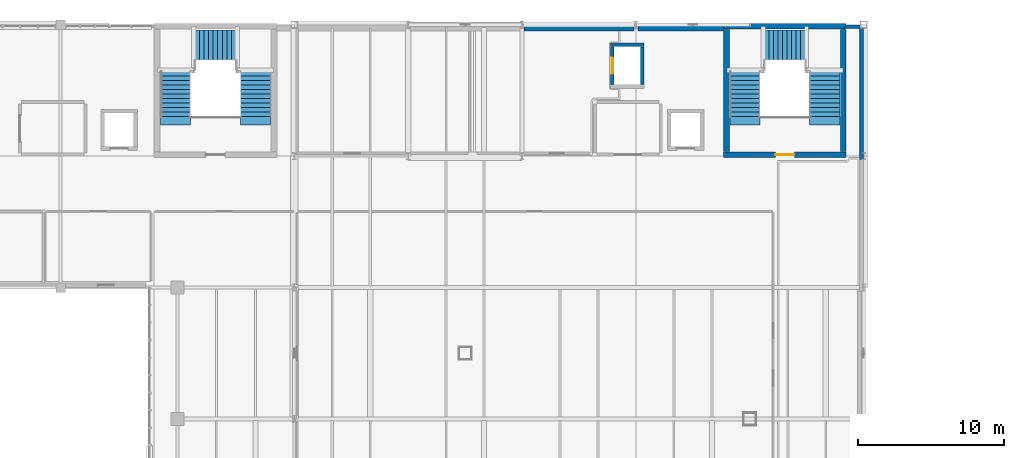
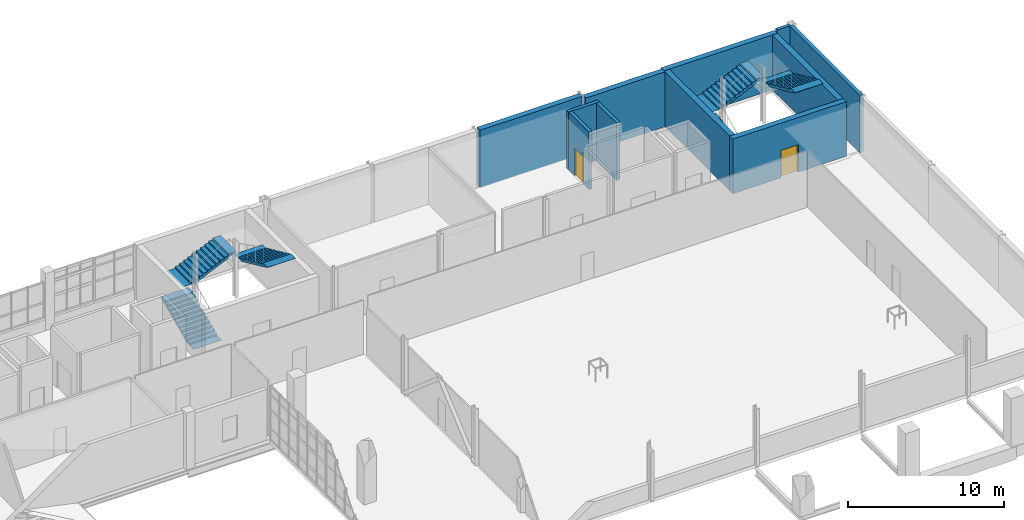
# One storey, part 35 of 38: 11 walls, 6 stair flights, 2 doors, 2 openings, 2 elements without a shape of their own.
"""IFC4 building model written with IfcOpenShell, lengths in metres."""

import ifcopenshell
import ifcopenshell.guid

model = None  # the IFC model being written
_history = None  # IfcOwnerHistory: only IFC2X3 demands one
_inside = {}  # id of a spatial element -> (the spatial element, [elements in it])
_under = {}  # id of a project, library or spatial element -> (it, [spatial elements below it])
_declared = {}  # id of a project -> (the project, [libraries it declares])
_typed = {}  # id of a type object -> (the type object, [elements of that type])
_made_of = {}  # id of a material, layer set ... -> (it, [elements and type objects made of it])


def new_model(schema):
    """Start an empty IFC model of exactly this schema.

    Asked for "IFC4X3", IfcOpenShell would pick the latest addendum, in which some entities
    have other attributes; the version numbers below select the first issue.
    IFC2X3 requires an IfcOwnerHistory on every rooted entity: one is made here for all.
    """
    global model, _history
    if schema == "IFC4X3":
        model = ifcopenshell.file(schema_version=(4, 3, 0, 0))
    else:
        model = ifcopenshell.file(schema=schema)
    _inside.clear()
    _under.clear()
    _declared.clear()
    _typed.clear()
    _made_of.clear()
    _history = None
    if model.schema == "IFC2X3":
        org = make("IfcOrganization", Name="unknown")
        user = make(
            "IfcPersonAndOrganization",
            ThePerson=make("IfcPerson", FamilyName="unknown"),
            TheOrganization=org,
        )
        app = make(
            "IfcApplication",
            ApplicationDeveloper=org,
            Version="unknown",
            ApplicationFullName="unknown",
            ApplicationIdentifier="unknown",
        )
        _history = make(
            "IfcOwnerHistory",
            OwningUser=user,
            OwningApplication=app,
            ChangeAction="ADDED",
            CreationDate=0,
        )
    return model


def make(cls, **values):
    """One entity of the class cls with the attributes given. An attribute that is None is left unset."""
    return model.create_entity(
        cls, **{name: value for name, value in values.items() if value is not None}
    )


def rooted(cls, **values):
    """An entity with a GlobalId (a new one), such as an element, a storey or a relation."""
    return make(cls, GlobalId=ifcopenshell.guid.new(), OwnerHistory=_history, **values)


def si_unit(unit_type, name, prefix=None):
    """IfcSIUnit, for example si_unit("LENGTHUNIT", "METRE", prefix="MILLI")."""
    return make("IfcSIUnit", UnitType=unit_type, Prefix=prefix, Name=name)


def derived_unit(unit_type, elements):
    """IfcDerivedUnit: a product of units, each with its exponent."""
    return make(
        "IfcDerivedUnit",
        Elements=[
            make("IfcDerivedUnitElement", Unit=unit, Exponent=power)
            for unit, power in elements
        ],
        UnitType=unit_type,
    )


def assignment(units):
    """IfcUnitAssignment: the units of a project."""
    return None if units is None else make("IfcUnitAssignment", Units=units)


def point(xyz):
    """IfcCartesianPoint."""
    return None if xyz is None else make("IfcCartesianPoint", Coordinates=xyz)


def direction(xyz):
    """IfcDirection."""
    return None if xyz is None else make("IfcDirection", DirectionRatios=xyz)


def frame(location, z_axis=None, x_axis=None):
    """IfcAxis2Placement3D, a coordinate frame: its origin and axes. An axis left out is left unset."""
    return make(
        "IfcAxis2Placement3D",
        Location=point(location),
        Axis=direction(z_axis),
        RefDirection=direction(x_axis),
    )


def frame_2d(location, x_axis=None):
    """IfcAxis2Placement2D, a coordinate frame in the plane: its origin and x axis."""
    return make(
        "IfcAxis2Placement2D", Location=point(location), RefDirection=direction(x_axis)
    )


def origin():
    """The frame at (0, 0, 0) with its axes left unset."""
    return frame((0.0, 0.0, 0.0))


def place(relative_to, where):
    """IfcLocalPlacement: puts the frame where relative to a parent placement (None: the world)."""
    return make(
        "IfcLocalPlacement", PlacementRelTo=relative_to, RelativePlacement=where
    )


def context(
    kind, dimensions, precision=None, world=None, true_north=None, identifier=None
):
    """IfcGeometricRepresentationContext, for example the 3D "Model" context."""
    return make(
        "IfcGeometricRepresentationContext",
        ContextIdentifier=identifier,
        ContextType=kind,
        CoordinateSpaceDimension=dimensions,
        Precision=precision,
        WorldCoordinateSystem=world,
        TrueNorth=true_north,
    )


def subcontext(parent, identifier, kind, view, scale=None):
    """IfcGeometricRepresentationSubContext, for example "Body" below "Model"."""
    return make(
        "IfcGeometricRepresentationSubContext",
        ContextIdentifier=identifier,
        ContextType=kind,
        ParentContext=parent,
        TargetScale=scale,
        TargetView=view,
    )


def project(units=None, contexts=None):
    """IfcProject with its units and contexts."""
    return rooted(
        "IfcProject",
        Name="project",
        RepresentationContexts=contexts,
        UnitsInContext=assignment(units),
    )


def spatial(cls, under=None, at=None, **own):
    """A site, building, storey or space (cls), placed at a placement, below another one or the project."""
    s = rooted(cls, ObjectPlacement=at, **own)
    if under is not None:
        _under.setdefault(under.id(), (under, []))[1].append(s)
    return s


def polyline(points):
    """IfcPolyline through the points."""
    return make("IfcPolyline", Points=[point(p) for p in points])


def profile(cls, at=None, kind="AREA", **sizes):
    """A parametric profile (cls). Its sizes go by their IFC names, for example OverallWidth=200.0."""
    return make(cls, ProfileType=kind, Position=at, **sizes)


def rectangle(**sizes):
    """IfcRectangleProfileDef."""
    return profile("IfcRectangleProfileDef", **sizes)


def outline(outer, holes=None, kind="AREA"):
    """IfcArbitraryClosedProfileDef: a profile drawn as a closed curve; with holes, ...WithVoids."""
    if holes is None:
        return make("IfcArbitraryClosedProfileDef", ProfileType=kind, OuterCurve=outer)
    return make(
        "IfcArbitraryProfileDefWithVoids",
        ProfileType=kind,
        OuterCurve=outer,
        InnerCurves=holes,
    )


def extrude(swept, where, along, depth):
    """IfcExtrudedAreaSolid: the profile swept, set in the frame where, extruded along a direction by depth."""
    return make(
        "IfcExtrudedAreaSolid",
        SweptArea=swept,
        Position=where,
        ExtrudedDirection=direction(along),
        Depth=depth,
    )


def shape(context_of_items, identifier, shape_type, items):
    """IfcShapeRepresentation: the items that make up one representation, for example the "Body"."""
    return make(
        "IfcShapeRepresentation",
        ContextOfItems=context_of_items,
        RepresentationIdentifier=identifier,
        RepresentationType=shape_type,
        Items=items,
    )


def material(Name=None, Category=None):
    """IfcMaterial."""
    return make("IfcMaterial", Name=Name, Category=Category)


def layer(
    of_material, thickness, ventilated=None, Name=None, Category=None, Priority=None
):
    """IfcMaterialLayer: one layer of a wall or slab, of a material (None: an air gap)."""
    return make(
        "IfcMaterialLayer",
        Material=of_material,
        LayerThickness=thickness,
        IsVentilated=ventilated,
        Name=Name,
        Category=Category,
        Priority=Priority,
    )


def layer_set(layers, Name=None):
    """IfcMaterialLayerSet."""
    return make("IfcMaterialLayerSet", MaterialLayers=layers, LayerSetName=Name)


def made_of(thing, what):
    """Note that an element or type object is made of a material, layer set ...; save() writes the relation."""
    if what is not None:
        _made_of.setdefault(what.id(), (what, []))[1].append(thing)
    return thing


def type_object(cls, material=None, **own):
    """A type object (cls), such as IfcWallType, which elements share."""
    return made_of(rooted(cls, **own), material)


def element(
    cls,
    number,
    at=None,
    inside=None,
    cuts=None,
    type_object=None,
    material=None,
    context=None,
    identifier="Body",
    shape_type=None,
    held_by="IfcProductDefinitionShape",
    body=None,
    shapes=None,
    **own,
):
    """One element of the class cls, such as IfcWall. Its Tag is "e" and its number.

    at: its placement. inside: the storey or other place that contains it. cuts: it is an
    opening in that element (IfcRelVoidsElement). A single representation is given by context,
    identifier, shape_type and body (its items); several are given by shapes. held_by: the class
    of the entity that holds the representations. save() writes the other relations.
    """
    e = rooted(cls, Tag="e%d" % number, ObjectPlacement=at, **own)
    if body is not None:
        shapes = [shape(context, identifier, shape_type, body)]
    if shapes is not None:
        e.Representation = make(held_by, Representations=shapes)
    if inside is not None:
        _inside.setdefault(inside.id(), (inside, []))[1].append(e)
    if cuts is not None:
        rooted(
            "IfcRelVoidsElement", RelatingBuildingElement=cuts, RelatedOpeningElement=e
        )
    if type_object is not None:
        _typed.setdefault(type_object.id(), (type_object, []))[1].append(e)
    return made_of(e, material)


def fill(opening, filler):
    """IfcRelFillsElement: the door or window that sits in an opening."""
    return rooted(
        "IfcRelFillsElement",
        RelatingOpeningElement=opening,
        RelatedBuildingElement=filler,
    )


def aggregate(whole, parts):
    """IfcRelAggregates: a whole, such as a stair, and the parts it consists of."""
    return rooted("IfcRelAggregates", RelatingObject=whole, RelatedObjects=parts)


def save(model, path):
    """Write the relations noted so far, then the file.

    IfcRelAggregates (storeys below a building ...), IfcRelContainedInSpatialStructure (elements
    in a storey), IfcRelDefinesByType, IfcRelAssociatesMaterial and IfcRelDeclares: one each for
    every whole, place, type object, material and project.
    """
    for whole, parts in _under.values():
        aggregate(whole, parts)
    for where, things in _inside.values():
        rooted(
            "IfcRelContainedInSpatialStructure",
            RelatedElements=things,
            RelatingStructure=where,
        )
    for kind, things in _typed.values():
        rooted("IfcRelDefinesByType", RelatedObjects=things, RelatingType=kind)
    for what, things in _made_of.values():
        rooted("IfcRelAssociatesMaterial", RelatedObjects=things, RelatingMaterial=what)
    for by, libraries in _declared.values():
        rooted("IfcRelDeclares", RelatingContext=by, RelatedDefinitions=libraries)
    model.write(path)


model = new_model("IFC4")

# Units and contexts
model_context = context("Model", 3, precision=1e-05, world=origin(), true_north=direction((0.0, 1.0)))
body_context = subcontext(model_context, "Body", "Model", "MODEL_VIEW")
ifc_project = project(units=[si_unit("LENGTHUNIT", "METRE"), si_unit("AREAUNIT", "SQUARE_METRE"), si_unit("VOLUMEUNIT", "CUBIC_METRE"), si_unit("PLANEANGLEUNIT", "RADIAN"), si_unit("MASSUNIT", "GRAM", prefix="KILO"), derived_unit("THERMALTRANSMITTANCEUNIT", [(si_unit("POWERUNIT", "WATT"), 1), (si_unit("LENGTHUNIT", "METRE"), -2), (si_unit("THERMODYNAMICTEMPERATUREUNIT", "KELVIN"), -1)])], contexts=[model_context])

# Site, building, storey
site_placement = place(None, origin())
site = spatial("IfcSite", under=ifc_project, at=site_placement, CompositionType="ELEMENT")
building_placement = place(site_placement, origin())
building = spatial("IfcBuilding", under=site, at=building_placement, Name="Nallur Shell Playhouse", CompositionType="ELEMENT")
storey_placement = place(building_placement, frame((0.0, 0.0, 24.300048828125)))
storey = spatial("IfcBuildingStorey", under=building, at=storey_placement, Name="L06", CompositionType="ELEMENT", Elevation=24.300048828125)

# Wall, opening, door
ifc_material_1 = material(Name="Concrete M45", Category="concrete")
ifc_layer_1 = layer(ifc_material_1, 0.39990234375)
ifc_layer_set_1 = layer_set([ifc_layer_1], Name="Concrete M45")
wall_type_1 = type_object("IfcWallType", Name="WL-CORE-400", PredefinedType="SHEAR", material=ifc_layer_set_1)
wall_1_placement = place(storey_placement, frame((93.39990234375, 74.10009765625, 0.0), z_axis=(0.0, 0.0, 1.0), x_axis=(1.0, 0.0, 0.0)))
wall_1 = element("IfcWall", 1, at=wall_1_placement, inside=storey, type_object=wall_type_1, Name="Joint Core JC-4 shear wall S (L06)", PredefinedType="SHEAR", context=body_context, shape_type="SweptSolid", body=[
    extrude(rectangle(XDim=8.400146484375, YDim=0.39990234375, at=frame_2d((4.2001953125, 0.0))), origin(), (0.0, 0.0, 1.0), 4.280029296875),
])
opening_1_placement = place(wall_1_placement, frame((3.550048828125, 0.0, 0.0)))
opening_1 = element("IfcOpeningElement", 2, at=opening_1_placement, cuts=wall_1, Name="Opening FD-ST1", PredefinedType="OPENING", context=body_context, shape_type="SweptSolid", body=[
    extrude(rectangle(XDim=1.300048828125, YDim=2.14990234375, at=frame_2d((0.64990234375, 1.074951171875))), frame((0.0, 0.2099609375, 0.0), z_axis=(0.0, -1.0, 0.0), x_axis=(1.0, 0.0, 0.0)), (0.0, 0.0, 1.0), 0.419921875),
])
ifc_material_2 = material(Name="Galvanised Steel Fire-Rated Stair Door", Category="steel")
door_type_1 = type_object("IfcDoorType", Name="DR-INT-STAIR-L", OperationType="SINGLE_SWING_LEFT", PredefinedType="DOOR", material=ifc_material_2)
door_1_placement = place(opening_1_placement, origin())
door_1 = element("IfcDoor", 3, at=door_1_placement, inside=storey, type_object=door_type_1, Name="Exit stair ST-04 fire door (L06)", OperationType="SINGLE_SWING_LEFT", OverallHeight=2.14990234375, OverallWidth=1.300048828125, PredefinedType="DOOR", context=body_context, shape_type="SweptSolid", body=[
    extrude(rectangle(XDim=1.300048828125, YDim=2.14990234375, at=frame_2d((0.64990234375, 1.074951171875))), frame((0.0, 0.02490234375, 0.0), z_axis=(0.0, -1.0, 0.0), x_axis=(1.0, 0.0, 0.0)), (0.0, 0.0, 1.0), 0.050048828125),
])
fill(opening_1, door_1)

# Walls
wall_2_placement = place(storey_placement, frame((101.800048828125, 82.89990234375, 0.0), z_axis=(0.0, 0.0, 1.0), x_axis=(-1.0, 0.0, 0.0)))
element("IfcWall", 4, at=wall_2_placement, inside=storey, type_object=wall_type_1, Name="Joint Core JC-4 shear wall N (L06)", PredefinedType="SHEAR", context=body_context, shape_type="SweptSolid", body=[
    extrude(rectangle(XDim=8.400146484375, YDim=0.39990234375, at=frame_2d((4.2001953125, 0.0))), origin(), (0.0, 0.0, 1.0), 4.280029296875),
])
for number, where, z_axis, x_axis, name in (
    (5, (101.60009765625, 74.31005859375, 0.0), (0.0, 0.0, 1.0), (0.0, 1.0, 0.0), "Joint Core JC-4 shear wall E (L06)"),
    (6, (93.60009765625, 82.68994140625, 0.0), (0.0, 0.0, 1.0), (0.0, -1.0, 0.0), "Joint Core JC-4 shear wall W (L06)"),
):
    element("IfcWall", number, at=place(storey_placement, frame(where, z_axis=z_axis, x_axis=x_axis)), inside=storey, type_object=wall_type_1, Name=name, PredefinedType="SHEAR", context=body_context, shape_type="SweptSolid", body=[
        extrude(rectangle(XDim=8.3798828125, YDim=0.39990234375, at=frame_2d((4.18994140625, 0.0))), origin(), (0.0, 0.0, 1.0), 4.280029296875),
    ])
ifc_material_3 = material(Name="Precast concrete M40", Category="concrete")
ifc_layer_2 = layer(ifc_material_3, 0.239990234375)
ifc_layer_set_2 = layer_set([ifc_layer_2], Name="Precast concrete M40")
wall_type_2 = type_object("IfcWallType", Name="WL-EXT-CLAD240", PredefinedType="ELEMENTEDWALL", material=ifc_layer_set_2)
wall_3_placement = place(storey_placement, frame((101.803955078125, 82.860107421875, 0.0), z_axis=(0.0, 0.0, 1.0), x_axis=(1.0, 0.0, 0.0)))
element("IfcWall", 7, at=wall_3_placement, inside=storey, type_object=wall_type_2, Name="L06 exterior wall EW-L06-258", PredefinedType="ELEMENTEDWALL", context=body_context, shape_type="SweptSolid", body=[
    extrude(rectangle(XDim=0.963134765625, YDim=0.239990234375, at=frame_2d((0.4814453125, 0.0))), origin(), (0.0, 0.0, 1.0), 4.5),
])
ifc_layer_3 = layer(ifc_material_3, 0.260009765625)
ifc_layer_set_3 = layer_set([ifc_layer_3], Name="Precast concrete M40")
wall_type_3 = type_object("IfcWallType", Name="WL-EXT-CLAD260", PredefinedType="ELEMENTEDWALL", material=ifc_layer_set_3)
wall_4_placement = place(storey_placement, frame((102.85009765625, 82.76708984375, 0.0), z_axis=(0.0, 0.0, 1.0), x_axis=(0.0, -1.0, 0.0)))
element("IfcWall", 8, at=wall_4_placement, inside=storey, type_object=wall_type_3, Name="L06 exterior wall EW-L06-239", PredefinedType="ELEMENTEDWALL", context=body_context, shape_type="SweptSolid", body=[
    extrude(rectangle(XDim=9.0, YDim=0.260009765625, at=frame_2d((4.5, 0.0))), origin(), (0.0, 0.0, 1.0), 4.5),
])
ifc_material_4 = material(Name="Concrete M40", Category="concrete")
ifc_layer_4 = layer(ifc_material_4, 0.39990234375)
ifc_layer_set_4 = layer_set([ifc_layer_4], Name="Concrete M40")
wall_type_4 = type_object("IfcWallType", Name="WL-EXT-RC400", PredefinedType="STANDARD", material=ifc_layer_set_4)
wall_5_placement = place(storey_placement, frame((79.73291015625, 82.780029296875, 0.0), z_axis=(0.0, 0.0, 1.0), x_axis=(1.0, 0.0, 0.0)))
element("IfcWall", 9, at=wall_5_placement, inside=storey, type_object=wall_type_4, Name="L06 exterior wall EW-L06-256", PredefinedType="STANDARD", context=body_context, shape_type="SweptSolid", body=[
    extrude(rectangle(XDim=7.5341796875, YDim=0.39990234375, at=frame_2d((3.76708984375, 0.0))), origin(), (0.0, 0.0, 1.0), 4.5),
])
wall_6_placement = place(storey_placement, frame((87.532958984375, 82.780029296875, 0.0), z_axis=(0.0, 0.0, 1.0), x_axis=(1.0, 0.0, 0.0)))
element("IfcWall", 10, at=wall_6_placement, inside=storey, type_object=wall_type_4, Name="L06 exterior wall EW-L06-257", PredefinedType="STANDARD", context=body_context, shape_type="SweptSolid", body=[
    extrude(rectangle(XDim=5.863037109375, YDim=0.39990234375, at=frame_2d((2.931640625, 0.0))), origin(), (0.0, 0.0, 1.0), 4.280029296875),
])
ifc_layer_5 = layer(ifc_material_1, 0.25)
ifc_layer_set_5 = layer_set([ifc_layer_5], Name="Concrete M45")
wall_type_5 = type_object("IfcWallType", Name="WL-SHAFT-250", PredefinedType="STANDARD", material=ifc_layer_set_5)
wall_7_placement = place(storey_placement, frame((87.949951171875, 81.625, 0.0), z_axis=(0.0, 0.0, 1.0), x_axis=(-1.0, 0.0, 0.0)))
element("IfcWall", 11, at=wall_7_placement, inside=storey, type_object=wall_type_5, Name="Passenger Lift PL-4 shaft wall north (L06)", PredefinedType="STANDARD", context=body_context, shape_type="SweptSolid", body=[
    extrude(rectangle(XDim=2.300048828125, YDim=0.25, at=frame_2d((1.14990234375, 0.0))), origin(), (0.0, 0.0, 1.0), 4.5),
])
wall_8_placement = place(storey_placement, frame((87.824951171875, 78.909912109375, 0.0), z_axis=(0.0, 0.0, 1.0), x_axis=(0.0, 1.0, 0.0)))
element("IfcWall", 12, at=wall_8_placement, inside=storey, type_object=wall_type_5, Name="Passenger Lift PL-4 shaft wall east (L06)", PredefinedType="STANDARD", context=body_context, shape_type="SweptSolid", body=[
    extrude(rectangle(XDim=2.580078125, YDim=0.25, at=frame_2d((1.2900390625, 0.0))), origin(), (0.0, 0.0, 1.0), 4.5),
])

# Wall, opening, door
wall_9_placement = place(storey_placement, frame((85.77490234375, 81.489990234375, 0.0), z_axis=(0.0, 0.0, 1.0), x_axis=(0.0, -1.0, 0.0)))
wall_9 = element("IfcWall", 13, at=wall_9_placement, inside=storey, type_object=wall_type_5, Name="Passenger Lift PL-4 shaft wall west (L06)", PredefinedType="STANDARD", context=body_context, shape_type="SweptSolid", body=[
    extrude(rectangle(XDim=2.580078125, YDim=0.25, at=frame_2d((1.2900390625, 0.0))), origin(), (0.0, 0.0, 1.0), 4.5),
])
opening_2_placement = place(wall_9_placement, frame((0.739990234375, 0.0, 0.0)))
opening_2 = element("IfcOpeningElement", 14, at=opening_2_placement, cuts=wall_9, Name="Opening LD-P1", PredefinedType="OPENING", context=body_context, shape_type="SweptSolid", body=[
    extrude(rectangle(XDim=1.10009765625, YDim=2.14990234375, at=frame_2d((0.550048828125, 1.074951171875))), frame((0.0, 0.135009765625, 0.0), z_axis=(0.0, -1.0, 0.0), x_axis=(1.0, 0.0, 0.0)), (0.0, 0.0, 1.0), 0.27001953125),
])
ifc_material_5 = material(Name="Brushed Stainless Steel Lift Landing Door", Category="steel")
door_type_2 = type_object("IfcDoorType", Name="DR-LIFT-PASS", OperationType="DOUBLE_DOOR_SLIDING", PredefinedType="DOOR", material=ifc_material_5)
door_2_placement = place(opening_2_placement, origin())
door_2 = element("IfcDoor", 15, at=door_2_placement, inside=storey, type_object=door_type_2, Name="Passenger Lift PL-4 sliding landing door (L06)", OperationType="DOUBLE_DOOR_SLIDING", OverallHeight=2.14990234375, OverallWidth=1.10009765625, PredefinedType="DOOR", context=body_context, shape_type="SweptSolid", body=[
    extrude(rectangle(XDim=1.10009765625, YDim=2.14990234375, at=frame_2d((0.550048828125, 1.074951171875))), frame((0.0, 0.02490234375, 0.0), z_axis=(0.0, -1.0, 0.0), x_axis=(1.0, 0.0, 0.0)), (0.0, 0.0, 1.0), 0.050048828125),
])
fill(opening_2, door_2)

# Stair, stair flights
ifc_material_6 = material(Name="Concrete M35", Category="concrete")
stair_type = type_object("IfcStairType", Name="ST-CORE-45", PredefinedType="THREE_QUARTER_TURN_STAIR", material=ifc_material_6)
stair_1_placement = place(storey_placement, origin())
stair_1 = element("IfcStair", 16, at=stair_1_placement, inside=storey, type_object=stair_type, Name="Core JC-3 exit stair ST-03-L06 (L06 to RF1)", PredefinedType="THREE_QUARTER_TURN_STAIR")
stair_flight_type_1 = type_object("IfcStairFlightType", Name="ST-FLIGHT-208", PredefinedType="STRAIGHT", material=ifc_material_6)
stair_flight_1_placement = place(storey_placement, frame((55.8701171875, 76.699951171875, 0.0), z_axis=(0.0, 0.0, 1.0), x_axis=(0.0, 1.0, 0.0)))
stair_flight_1 = element("IfcStairFlight", 17, at=stair_flight_1_placement, type_object=stair_flight_type_1, Name="ST-45 flight 1", NumberOfRisers=11, NumberOfTreads=10, PredefinedType="STRAIGHT", RiserHeight=0.140625, TreadLength=0.31, context=body_context, shape_type="SweptSolid", body=[
    extrude(outline(polyline([(-0.580078125, 0.0), (-0.580078125, 0.01806640625), (0.0, 0.01806640625), (0.0, 0.140625), (0.31005859375, 0.140625), (0.31005859375, 0.28125), (0.6201171875, 0.28125), (0.6201171875, 0.421875), (0.929931640625, 0.421875), (0.929931640625, 0.5625), (1.239990234375, 0.5625), (1.239990234375, 0.703125), (1.550048828125, 0.703125), (1.550048828125, 0.84375), (1.860107421875, 0.84375), (1.860107421875, 0.984375), (2.169921875, 0.984375), (2.169921875, 1.125), (2.47998046875, 1.125), (2.47998046875, 1.265625), (2.7900390625, 1.265625), (2.7900390625, 1.40625), (3.10009765625, 1.40625), (3.10009765625, 1.546875), (3.68017578125, 1.546875), (3.68017578125, 1.52880859375), (3.10009765625, 1.230712890625), (0.38720703125, 0.0), (-0.580078125, 0.0)])), frame((0.0, 1.030029296875, 0.0), z_axis=(0.0, -1.0, 0.0), x_axis=(1.0, 0.0, 0.0)), (0.0, 0.0, 1.0), 2.06005859375),
])
stair_flight_2_placement = place(storey_placement, frame((57.205078125, 81.610107421875, 1.546875), z_axis=(0.0, 0.0, 1.0), x_axis=(1.0, 0.0, 0.0)))
stair_flight_2 = element("IfcStairFlight", 18, at=stair_flight_2_placement, type_object=stair_flight_type_1, Name="ST-45 flight 2", NumberOfRisers=10, NumberOfTreads=9, PredefinedType="STRAIGHT", RiserHeight=0.140625, TreadLength=0.31, context=body_context, shape_type="SweptSolid", body=[
    extrude(outline(polyline([(-0.580078125, 0.0), (-0.580078125, 0.01806640625), (0.0, 0.01806640625), (0.0, 0.140625), (0.31005859375, 0.140625), (0.31005859375, 0.28125), (0.6201171875, 0.28125), (0.6201171875, 0.421875), (0.929931640625, 0.421875), (0.929931640625, 0.5625), (1.239990234375, 0.5625), (1.239990234375, 0.703125), (1.550048828125, 0.703125), (1.550048828125, 0.84375), (1.860107421875, 0.84375), (1.860107421875, 0.984375), (2.169921875, 0.984375), (2.169921875, 1.125), (2.47998046875, 1.125), (2.47998046875, 1.265625), (2.7900390625, 1.265625), (2.7900390625, 1.40625), (3.3701171875, 1.40625), (3.3701171875, 1.38818359375), (2.7900390625, 1.090087890625), (0.38720703125, 0.0), (-0.580078125, 0.0)])), frame((0.0, 1.030029296875, 0.0), z_axis=(0.0, -1.0, 0.0), x_axis=(1.0, 0.0, 0.0)), (0.0, 0.0, 1.0), 2.06005859375),
])
stair_flight_3_placement = place(storey_placement, frame((61.330078125, 79.800048828125, 2.953125), z_axis=(0.0, 0.0, 1.0), x_axis=(0.0, -1.0, 0.0)))
stair_flight_3 = element("IfcStairFlight", 19, at=stair_flight_3_placement, type_object=stair_flight_type_1, Name="ST-45 flight 3", NumberOfRisers=11, NumberOfTreads=10, PredefinedType="STRAIGHT", RiserHeight=0.140625, TreadLength=0.31, context=body_context, shape_type="SweptSolid", body=[
    extrude(outline(polyline([(-0.580078125, 0.0), (-0.580078125, 0.01806640625), (0.0, 0.01806640625), (0.0, 0.140625), (0.31005859375, 0.140625), (0.31005859375, 0.28125), (0.6201171875, 0.28125), (0.6201171875, 0.421875), (0.929931640625, 0.421875), (0.929931640625, 0.5625), (1.239990234375, 0.5625), (1.239990234375, 0.703125), (1.550048828125, 0.703125), (1.550048828125, 0.84375), (1.860107421875, 0.84375), (1.860107421875, 0.984375), (2.169921875, 0.984375), (2.169921875, 1.125), (2.47998046875, 1.125), (2.47998046875, 1.265625), (2.7900390625, 1.265625), (2.7900390625, 1.40625), (3.10009765625, 1.40625), (3.10009765625, 1.546875), (3.68017578125, 1.546875), (3.68017578125, 1.52880859375), (3.10009765625, 1.230712890625), (0.38720703125, 0.0), (-0.580078125, 0.0)])), frame((0.0, 1.030029296875, 0.0), z_axis=(0.0, -1.0, 0.0), x_axis=(1.0, 0.0, 0.0)), (0.0, 0.0, 1.0), 2.06005859375),
])
aggregate(stair_1, [stair_flight_1, stair_flight_2, stair_flight_3])

stair_2_placement = place(storey_placement, origin())
stair_2 = element("IfcStair", 20, at=stair_2_placement, inside=storey, type_object=stair_type, Name="Core JC-4 exit stair ST-04-L06 (L06 to RF1)", PredefinedType="THREE_QUARTER_TURN_STAIR")
stair_flight_type_2 = type_object("IfcStairFlightType", Name="ST-FLIGHT-212", PredefinedType="STRAIGHT", material=ifc_material_6)
stair_flight_4_placement = place(storey_placement, frame((94.8701171875, 76.699951171875, 0.0), z_axis=(0.0, 0.0, 1.0), x_axis=(0.0, 1.0, 0.0)))
stair_flight_4 = element("IfcStairFlight", 21, at=stair_flight_4_placement, type_object=stair_flight_type_2, Name="ST-45 flight 1", NumberOfRisers=11, NumberOfTreads=10, PredefinedType="STRAIGHT", RiserHeight=0.140625, TreadLength=0.31, context=body_context, shape_type="SweptSolid", body=[
    extrude(outline(polyline([(-0.580078125, 0.0), (-0.580078125, 0.01806640625), (0.0, 0.01806640625), (0.0, 0.140625), (0.31005859375, 0.140625), (0.31005859375, 0.28125), (0.6201171875, 0.28125), (0.6201171875, 0.421875), (0.929931640625, 0.421875), (0.929931640625, 0.5625), (1.239990234375, 0.5625), (1.239990234375, 0.703125), (1.550048828125, 0.703125), (1.550048828125, 0.84375), (1.860107421875, 0.84375), (1.860107421875, 0.984375), (2.169921875, 0.984375), (2.169921875, 1.125), (2.47998046875, 1.125), (2.47998046875, 1.265625), (2.7900390625, 1.265625), (2.7900390625, 1.40625), (3.10009765625, 1.40625), (3.10009765625, 1.546875), (3.68017578125, 1.546875), (3.68017578125, 1.52880859375), (3.10009765625, 1.230712890625), (0.38720703125, 0.0), (-0.580078125, 0.0)])), frame((0.0, 1.030029296875, 0.0), z_axis=(0.0, -1.0, 0.0), x_axis=(1.0, 0.0, 0.0)), (0.0, 0.0, 1.0), 2.06005859375),
])
stair_flight_5_placement = place(storey_placement, frame((96.205078125, 81.610107421875, 1.546875), z_axis=(0.0, 0.0, 1.0), x_axis=(1.0, 0.0, 0.0)))
stair_flight_5 = element("IfcStairFlight", 22, at=stair_flight_5_placement, type_object=stair_flight_type_2, Name="ST-45 flight 2", NumberOfRisers=10, NumberOfTreads=9, PredefinedType="STRAIGHT", RiserHeight=0.140625, TreadLength=0.31, context=body_context, shape_type="SweptSolid", body=[
    extrude(outline(polyline([(-0.580078125, 0.0), (-0.580078125, 0.01806640625), (0.0, 0.01806640625), (0.0, 0.140625), (0.31005859375, 0.140625), (0.31005859375, 0.28125), (0.6201171875, 0.28125), (0.6201171875, 0.421875), (0.929931640625, 0.421875), (0.929931640625, 0.5625), (1.239990234375, 0.5625), (1.239990234375, 0.703125), (1.550048828125, 0.703125), (1.550048828125, 0.84375), (1.860107421875, 0.84375), (1.860107421875, 0.984375), (2.169921875, 0.984375), (2.169921875, 1.125), (2.47998046875, 1.125), (2.47998046875, 1.265625), (2.7900390625, 1.265625), (2.7900390625, 1.40625), (3.3701171875, 1.40625), (3.3701171875, 1.38818359375), (2.7900390625, 1.090087890625), (0.38720703125, 0.0), (-0.580078125, 0.0)])), frame((0.0, 1.030029296875, 0.0), z_axis=(0.0, -1.0, 0.0), x_axis=(1.0, 0.0, 0.0)), (0.0, 0.0, 1.0), 2.06005859375),
])
stair_flight_6_placement = place(storey_placement, frame((100.330078125, 79.800048828125, 2.953125), z_axis=(0.0, 0.0, 1.0), x_axis=(0.0, -1.0, 0.0)))
stair_flight_6 = element("IfcStairFlight", 23, at=stair_flight_6_placement, type_object=stair_flight_type_2, Name="ST-45 flight 3", NumberOfRisers=11, NumberOfTreads=10, PredefinedType="STRAIGHT", RiserHeight=0.140625, TreadLength=0.31, context=body_context, shape_type="SweptSolid", body=[
    extrude(outline(polyline([(-0.580078125, 0.0), (-0.580078125, 0.01806640625), (0.0, 0.01806640625), (0.0, 0.140625), (0.31005859375, 0.140625), (0.31005859375, 0.28125), (0.6201171875, 0.28125), (0.6201171875, 0.421875), (0.929931640625, 0.421875), (0.929931640625, 0.5625), (1.239990234375, 0.5625), (1.239990234375, 0.703125), (1.550048828125, 0.703125), (1.550048828125, 0.84375), (1.860107421875, 0.84375), (1.860107421875, 0.984375), (2.169921875, 0.984375), (2.169921875, 1.125), (2.47998046875, 1.125), (2.47998046875, 1.265625), (2.7900390625, 1.265625), (2.7900390625, 1.40625), (3.10009765625, 1.40625), (3.10009765625, 1.546875), (3.68017578125, 1.546875), (3.68017578125, 1.52880859375), (3.10009765625, 1.230712890625), (0.38720703125, 0.0), (-0.580078125, 0.0)])), frame((0.0, 1.030029296875, 0.0), z_axis=(0.0, -1.0, 0.0), x_axis=(1.0, 0.0, 0.0)), (0.0, 0.0, 1.0), 2.06005859375),
])
aggregate(stair_2, [stair_flight_4, stair_flight_5, stair_flight_6])

save(model, "model.ifc")
